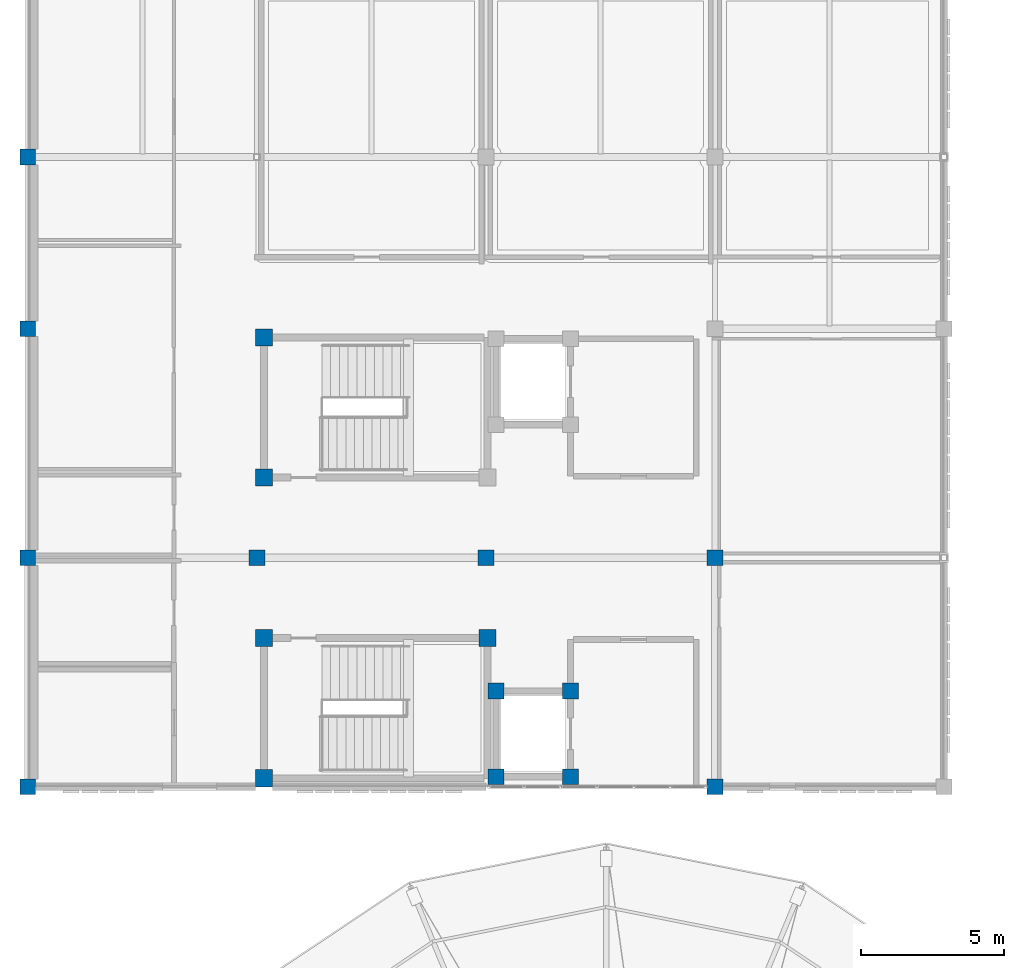
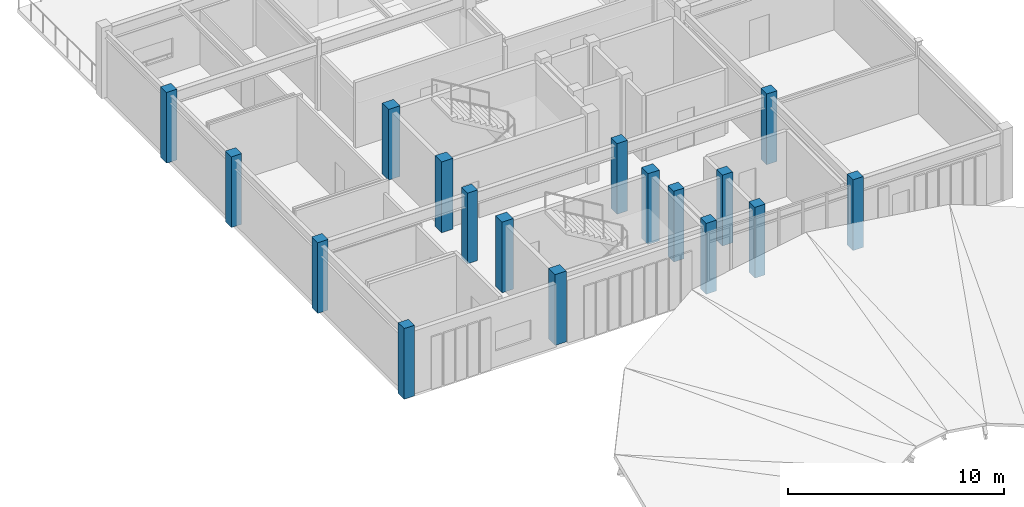
# One storey, part 1 of 31: 17 columns.
"""IFC4 building model written with IfcOpenShell, lengths in metres."""

from ifc_helpers import new_model, si_unit, direction, frame, origin, origin_2d, place, context, subcontext, project, spatial, rectangle, extrude, material, material_profile, profile_set, type_object, element, save


model = new_model("IFC4")

# Units and contexts
model_context = context("Model", 3, precision=1e-05, world=origin(), true_north=direction((0.0, 1.0)))
body_context = subcontext(model_context, "Body", "Model", "MODEL_VIEW")
ifc_project = project(units=[si_unit("LENGTHUNIT", "METRE"), si_unit("AREAUNIT", "SQUARE_METRE"), si_unit("VOLUMEUNIT", "CUBIC_METRE"), si_unit("PLANEANGLEUNIT", "RADIAN"), si_unit("MASSUNIT", "GRAM", prefix="KILO")], contexts=[model_context])

# Site, building, storey
site_placement = place(None, origin())
site = spatial("IfcSite", under=ifc_project, at=site_placement, CompositionType="ELEMENT")
building_placement = place(site_placement, origin())
building = spatial("IfcBuilding", under=site, at=building_placement, Name="Celadon Cloister-Ring School", CompositionType="ELEMENT")
storey_placement = place(building_placement, frame((0.0, 0.0, 16.5)))
storey = spatial("IfcBuildingStorey", under=building, at=storey_placement, Name="L04", CompositionType="ELEMENT", Elevation=16.5)

# Columns
ifc_material_1 = material(Name="Concrete C40/50", Category="concrete")
ifc_material_profile_1 = material_profile(ifc_material_1, rectangle(XDim=0.60009765625, YDim=0.60009765625, at=origin_2d()), Name="RC600X600")
ifc_profile_set_1 = profile_set([ifc_material_profile_1], Name="Concrete C40/50")
column_type_1 = type_object("IfcColumnType", Name="CT-04", PredefinedType="COLUMN", material=ifc_profile_set_1)
for number, where, z_axis, x_axis, name in (
    (1, (8.25, 40.300048828125, 0.0), (0.0, 0.0, 1.0), (1.0, 0.0, 0.0), "Column 0127"),
    (2, (16.050048828125, 45.199951171875, 0.0), (0.0, 0.0, 1.0), (1.0, 0.0, 0.0), "Column 0133"),
    (3, (8.25, 45.199951171875, 0.0), (0.0, 0.0, 1.0), (1.0, 0.0, 0.0), "Column 0139"),
    (4, (8.25, 50.800048828125, 0.0), (0.0, 0.0, 1.0), (1.0, 0.0, 0.0), "Column 0145"),
    (5, (8.25, 55.699951171875, 0.0), (0.0, 0.0, 1.0), (1.0, 0.0, 0.0), "Column 0157"),
):
    element("IfcColumn", number, at=place(storey_placement, frame(where, z_axis=z_axis, x_axis=x_axis)), inside=storey, type_object=column_type_1, Name=name, PredefinedType="COLUMN", context=body_context, shape_type="SweptSolid", body=[
        extrude(rectangle(XDim=0.60009765625, YDim=0.60009765625, at=origin_2d()), origin(), (0.0, 0.0, 1.0), 4.0),
    ])
ifc_material_2 = material(Name="Concrete C40/50", Category="concrete")
ifc_material_profile_2 = material_profile(ifc_material_2, rectangle(XDim=0.550048828125, YDim=0.550048828125, at=origin_2d()), Name="RC550X550")
ifc_profile_set_2 = profile_set([ifc_material_profile_2], Name="Concrete C40/50")
column_type_2 = type_object("IfcColumnType", Name="CT-05", PredefinedType="COLUMN", material=ifc_profile_set_2)
for number, where, z_axis, x_axis, name in (
    (6, (16.35009765625, 40.35009765625, 0.0), (0.0, 0.0, 1.0), (1.0, 0.0, 0.0), "Column 0216"),
    (7, (18.949951171875, 40.35009765625, 0.0), (0.0, 0.0, 1.0), (1.0, 0.0, 0.0), "Column 0222"),
    (8, (18.949951171875, 43.35009765625, 0.0), (0.0, 0.0, 1.0), (1.0, 0.0, 0.0), "Column 0228"),
    (9, (16.35009765625, 43.35009765625, 0.0), (0.0, 0.0, 1.0), (1.0, 0.0, 0.0), "Column 0234"),
    (10, (16.0, 48.0, 0.0), (0.0, 0.0, 1.0), (1.0, 0.0, 0.0), "Column 1096"),
    (11, (24.0, 48.0, 0.0), (0.0, 0.0, 1.0), (1.0, 0.0, 0.0), "Column 1124"),
    (12, (8.0, 48.0, 0.0), (0.0, 0.0, 1.0), (1.0, 0.0, 0.0), "Column 1181"),
):
    element("IfcColumn", number, at=place(storey_placement, frame(where, z_axis=z_axis, x_axis=x_axis)), inside=storey, type_object=column_type_2, Name=name, PredefinedType="COLUMN", context=body_context, shape_type="SweptSolid", body=[
        extrude(rectangle(XDim=0.550048828125, YDim=0.550048828125, at=origin_2d()), origin(), (0.0, 0.0, 1.0), 4.0),
    ])
ifc_material_3 = material(Name="Concrete C40/50", Category="concrete")
ifc_material_profile_3 = material_profile(ifc_material_3, rectangle(XDim=0.550048828125, YDim=0.550048828125, at=origin_2d()), Name="RC550X550")
ifc_profile_set_3 = profile_set([ifc_material_profile_3], Name="Concrete C40/50")
column_type_3 = type_object("IfcColumnType", Name="CT-24", PredefinedType="COLUMN", material=ifc_profile_set_3)
for number, where, z_axis, x_axis, name in (
    (13, (0.0, 40.0, 0.0), (0.0, 0.0, 1.0), (1.0, 0.0, 0.0), "Column 1062"),
    (14, (0.0, 48.0, 0.0), (0.0, 0.0, 1.0), (1.0, 0.0, 0.0), "Column 1068"),
    (15, (0.0, 56.0, 0.0), (0.0, 0.0, 1.0), (1.0, 0.0, 0.0), "Column 1074"),
    (16, (0.0, 62.0, 0.0), (0.0, 0.0, 1.0), (1.0, 0.0, 0.0), "Column 1080"),
    (17, (24.0, 40.0, 0.0), (0.0, 0.0, 1.0), (1.0, 0.0, 0.0), "Column 1118"),
):
    element("IfcColumn", number, at=place(storey_placement, frame(where, z_axis=z_axis, x_axis=x_axis)), inside=storey, type_object=column_type_3, Name=name, PredefinedType="COLUMN", context=body_context, shape_type="SweptSolid", body=[
        extrude(rectangle(XDim=0.550048828125, YDim=0.550048828125, at=origin_2d()), origin(), (0.0, 0.0, 1.0), 4.0),
    ])

save(model, "model.ifc")
